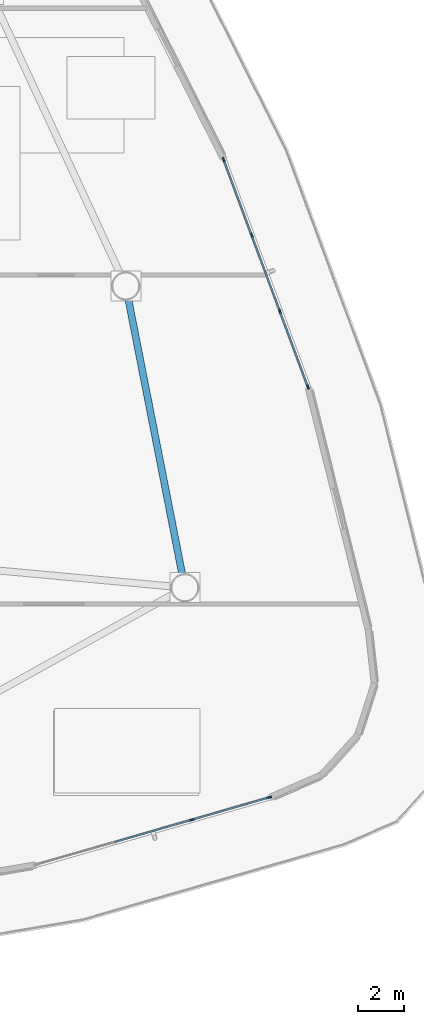
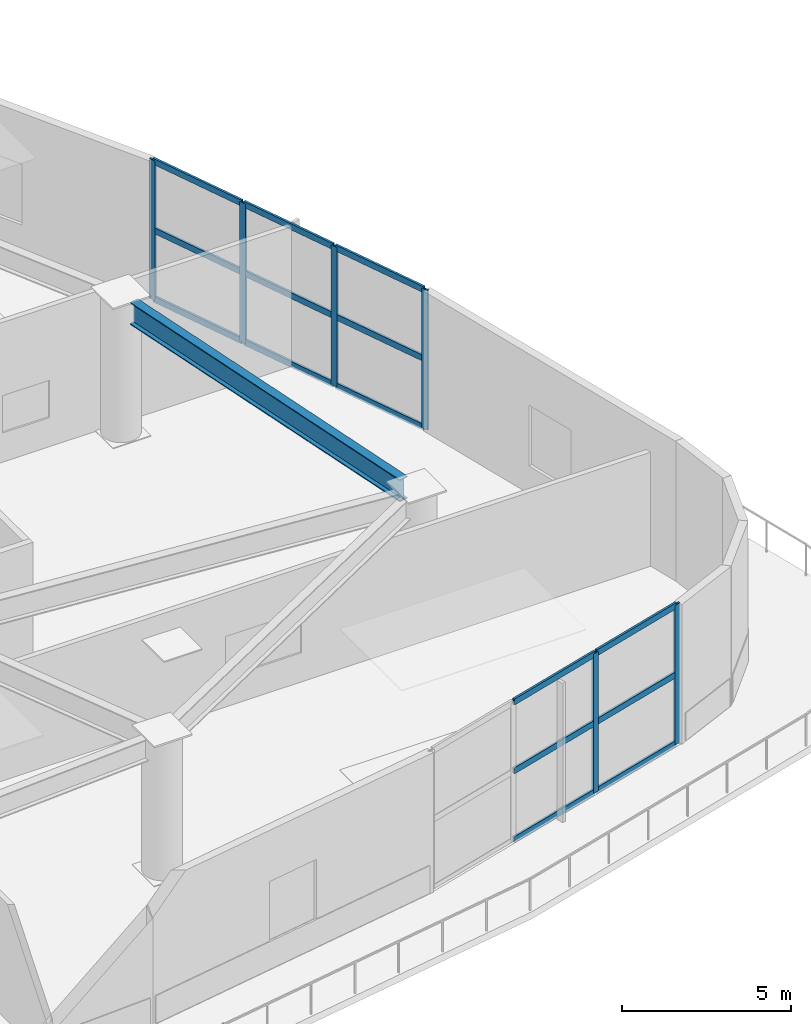
# One storey, part 9 of 25: 21 members, 1 beam, 2 elements without a shape of their own.
"""IFC4 building model written with IfcOpenShell, lengths in metres."""

import ifcopenshell
import ifcopenshell.guid

model = None  # the IFC model being written
_history = None  # IfcOwnerHistory: only IFC2X3 demands one
_inside = {}  # id of a spatial element -> (the spatial element, [elements in it])
_under = {}  # id of a project, library or spatial element -> (it, [spatial elements below it])
_declared = {}  # id of a project -> (the project, [libraries it declares])
_typed = {}  # id of a type object -> (the type object, [elements of that type])
_made_of = {}  # id of a material, layer set ... -> (it, [elements and type objects made of it])


def new_model(schema):
    """Start an empty IFC model of exactly this schema.

    Asked for "IFC4X3", IfcOpenShell would pick the latest addendum, in which some entities
    have other attributes; the version numbers below select the first issue.
    IFC2X3 requires an IfcOwnerHistory on every rooted entity: one is made here for all.
    """
    global model, _history
    if schema == "IFC4X3":
        model = ifcopenshell.file(schema_version=(4, 3, 0, 0))
    else:
        model = ifcopenshell.file(schema=schema)
    _inside.clear()
    _under.clear()
    _declared.clear()
    _typed.clear()
    _made_of.clear()
    _history = None
    if model.schema == "IFC2X3":
        org = make("IfcOrganization", Name="unknown")
        user = make(
            "IfcPersonAndOrganization",
            ThePerson=make("IfcPerson", FamilyName="unknown"),
            TheOrganization=org,
        )
        app = make(
            "IfcApplication",
            ApplicationDeveloper=org,
            Version="unknown",
            ApplicationFullName="unknown",
            ApplicationIdentifier="unknown",
        )
        _history = make(
            "IfcOwnerHistory",
            OwningUser=user,
            OwningApplication=app,
            ChangeAction="ADDED",
            CreationDate=0,
        )
    return model


def make(cls, **values):
    """One entity of the class cls with the attributes given. An attribute that is None is left unset."""
    return model.create_entity(
        cls, **{name: value for name, value in values.items() if value is not None}
    )


def rooted(cls, **values):
    """An entity with a GlobalId (a new one), such as an element, a storey or a relation."""
    return make(cls, GlobalId=ifcopenshell.guid.new(), OwnerHistory=_history, **values)


def si_unit(unit_type, name, prefix=None):
    """IfcSIUnit, for example si_unit("LENGTHUNIT", "METRE", prefix="MILLI")."""
    return make("IfcSIUnit", UnitType=unit_type, Prefix=prefix, Name=name)


def assignment(units):
    """IfcUnitAssignment: the units of a project."""
    return None if units is None else make("IfcUnitAssignment", Units=units)


def point(xyz):
    """IfcCartesianPoint."""
    return None if xyz is None else make("IfcCartesianPoint", Coordinates=xyz)


def direction(xyz):
    """IfcDirection."""
    return None if xyz is None else make("IfcDirection", DirectionRatios=xyz)


def frame(location, z_axis=None, x_axis=None):
    """IfcAxis2Placement3D, a coordinate frame: its origin and axes. An axis left out is left unset."""
    return make(
        "IfcAxis2Placement3D",
        Location=point(location),
        Axis=direction(z_axis),
        RefDirection=direction(x_axis),
    )


def frame_2d(location, x_axis=None):
    """IfcAxis2Placement2D, a coordinate frame in the plane: its origin and x axis."""
    return make(
        "IfcAxis2Placement2D", Location=point(location), RefDirection=direction(x_axis)
    )


def origin():
    """The frame at (0, 0, 0) with its axes left unset."""
    return frame((0.0, 0.0, 0.0))


def origin_2d():
    """The frame at (0, 0) in the plane with its x axis left unset."""
    return frame_2d((0.0, 0.0))


def place(relative_to, where):
    """IfcLocalPlacement: puts the frame where relative to a parent placement (None: the world)."""
    return make(
        "IfcLocalPlacement", PlacementRelTo=relative_to, RelativePlacement=where
    )


def context(
    kind, dimensions, precision=None, world=None, true_north=None, identifier=None
):
    """IfcGeometricRepresentationContext, for example the 3D "Model" context."""
    return make(
        "IfcGeometricRepresentationContext",
        ContextIdentifier=identifier,
        ContextType=kind,
        CoordinateSpaceDimension=dimensions,
        Precision=precision,
        WorldCoordinateSystem=world,
        TrueNorth=true_north,
    )


def subcontext(parent, identifier, kind, view, scale=None):
    """IfcGeometricRepresentationSubContext, for example "Body" below "Model"."""
    return make(
        "IfcGeometricRepresentationSubContext",
        ContextIdentifier=identifier,
        ContextType=kind,
        ParentContext=parent,
        TargetScale=scale,
        TargetView=view,
    )


def project(units=None, contexts=None):
    """IfcProject with its units and contexts."""
    return rooted(
        "IfcProject",
        Name="project",
        RepresentationContexts=contexts,
        UnitsInContext=assignment(units),
    )


def spatial(cls, under=None, at=None, **own):
    """A site, building, storey or space (cls), placed at a placement, below another one or the project."""
    s = rooted(cls, ObjectPlacement=at, **own)
    if under is not None:
        _under.setdefault(under.id(), (under, []))[1].append(s)
    return s


def profile(cls, at=None, kind="AREA", **sizes):
    """A parametric profile (cls). Its sizes go by their IFC names, for example OverallWidth=200.0."""
    return make(cls, ProfileType=kind, Position=at, **sizes)


def hollow_rectangle(**sizes):
    """IfcRectangleHollowProfileDef."""
    return profile("IfcRectangleHollowProfileDef", **sizes)


def i_section(**sizes):
    """IfcIShapeProfileDef."""
    return profile("IfcIShapeProfileDef", **sizes)


def extrude(swept, where, along, depth):
    """IfcExtrudedAreaSolid: the profile swept, set in the frame where, extruded along a direction by depth."""
    return make(
        "IfcExtrudedAreaSolid",
        SweptArea=swept,
        Position=where,
        ExtrudedDirection=direction(along),
        Depth=depth,
    )


def shape(context_of_items, identifier, shape_type, items):
    """IfcShapeRepresentation: the items that make up one representation, for example the "Body"."""
    return make(
        "IfcShapeRepresentation",
        ContextOfItems=context_of_items,
        RepresentationIdentifier=identifier,
        RepresentationType=shape_type,
        Items=items,
    )


def source(mapping_origin, context_of_items, identifier, shape_type, items):
    """IfcRepresentationMap: a shape defined once, which mapped items show again and again."""
    return make(
        "IfcRepresentationMap",
        MappingOrigin=mapping_origin,
        MappedRepresentation=shape(context_of_items, identifier, shape_type, items),
    )


def transform(
    local_origin,
    x_axis=None,
    y_axis=None,
    z_axis=None,
    scale=None,
    scale2=None,
    scale3=None,
    uniform=True,
):
    """IfcCartesianTransformationOperator3D, or its non-uniform kind. x_axis, y_axis, z_axis: its Axis1, 2, 3."""
    if uniform:
        return make(
            "IfcCartesianTransformationOperator3D",
            Axis1=direction(x_axis),
            Axis2=direction(y_axis),
            LocalOrigin=point(local_origin),
            Scale=scale,
            Axis3=direction(z_axis),
        )
    return make(
        "IfcCartesianTransformationOperator3DnonUniform",
        Axis1=direction(x_axis),
        Axis2=direction(y_axis),
        LocalOrigin=point(local_origin),
        Scale=scale,
        Axis3=direction(z_axis),
        Scale2=scale2,
        Scale3=scale3,
    )


def mapped(mapping_source, mapping_target):
    """IfcMappedItem: shows the shape of a source again, moved by a transform."""
    return make(
        "IfcMappedItem", MappingSource=mapping_source, MappingTarget=mapping_target
    )


def material(Name=None, Category=None):
    """IfcMaterial."""
    return make("IfcMaterial", Name=Name, Category=Category)


def layer(
    of_material, thickness, ventilated=None, Name=None, Category=None, Priority=None
):
    """IfcMaterialLayer: one layer of a wall or slab, of a material (None: an air gap)."""
    return make(
        "IfcMaterialLayer",
        Material=of_material,
        LayerThickness=thickness,
        IsVentilated=ventilated,
        Name=Name,
        Category=Category,
        Priority=Priority,
    )


def layer_set(layers, Name=None):
    """IfcMaterialLayerSet."""
    return make("IfcMaterialLayerSet", MaterialLayers=layers, LayerSetName=Name)


def material_profile(
    of_material, cross_section, Name=None, Category=None, Priority=None
):
    """IfcMaterialProfile: a cross section and its material."""
    return make(
        "IfcMaterialProfile",
        Name=Name,
        Material=of_material,
        Profile=cross_section,
        Priority=Priority,
        Category=Category,
    )


def profile_set(profiles, Name=None, composite=None):
    """IfcMaterialProfileSet."""
    return make(
        "IfcMaterialProfileSet",
        Name=Name,
        MaterialProfiles=profiles,
        CompositeProfile=composite,
    )


def made_of(thing, what):
    """Note that an element or type object is made of a material, layer set ...; save() writes the relation."""
    if what is not None:
        _made_of.setdefault(what.id(), (what, []))[1].append(thing)
    return thing


def type_object(cls, material=None, **own):
    """A type object (cls), such as IfcWallType, which elements share."""
    return made_of(rooted(cls, **own), material)


def type_shapes(of_type, sources):
    """Give a type object the sources (RepresentationMaps) that its elements show as mapped items."""
    of_type.RepresentationMaps = sources


def element(
    cls,
    number,
    at=None,
    inside=None,
    cuts=None,
    type_object=None,
    material=None,
    context=None,
    identifier="Body",
    shape_type=None,
    held_by="IfcProductDefinitionShape",
    body=None,
    shapes=None,
    **own,
):
    """One element of the class cls, such as IfcWall. Its Tag is "e" and its number.

    at: its placement. inside: the storey or other place that contains it. cuts: it is an
    opening in that element (IfcRelVoidsElement). A single representation is given by context,
    identifier, shape_type and body (its items); several are given by shapes. held_by: the class
    of the entity that holds the representations. save() writes the other relations.
    """
    e = rooted(cls, Tag="e%d" % number, ObjectPlacement=at, **own)
    if body is not None:
        shapes = [shape(context, identifier, shape_type, body)]
    if shapes is not None:
        e.Representation = make(held_by, Representations=shapes)
    if inside is not None:
        _inside.setdefault(inside.id(), (inside, []))[1].append(e)
    if cuts is not None:
        rooted(
            "IfcRelVoidsElement", RelatingBuildingElement=cuts, RelatedOpeningElement=e
        )
    if type_object is not None:
        _typed.setdefault(type_object.id(), (type_object, []))[1].append(e)
    return made_of(e, material)


def aggregate(whole, parts):
    """IfcRelAggregates: a whole, such as a stair, and the parts it consists of."""
    return rooted("IfcRelAggregates", RelatingObject=whole, RelatedObjects=parts)


def save(model, path):
    """Write the relations noted so far, then the file.

    IfcRelAggregates (storeys below a building ...), IfcRelContainedInSpatialStructure (elements
    in a storey), IfcRelDefinesByType, IfcRelAssociatesMaterial and IfcRelDeclares: one each for
    every whole, place, type object, material and project.
    """
    for whole, parts in _under.values():
        aggregate(whole, parts)
    for where, things in _inside.values():
        rooted(
            "IfcRelContainedInSpatialStructure",
            RelatedElements=things,
            RelatingStructure=where,
        )
    for kind, things in _typed.values():
        rooted("IfcRelDefinesByType", RelatedObjects=things, RelatingType=kind)
    for what, things in _made_of.values():
        rooted("IfcRelAssociatesMaterial", RelatedObjects=things, RelatingMaterial=what)
    for by, libraries in _declared.values():
        rooted("IfcRelDeclares", RelatingContext=by, RelatedDefinitions=libraries)
    model.write(path)


model = new_model("IFC4")

# Units and contexts
model_context = context("Model", 3, precision=1e-05, world=origin(), true_north=direction((0.0, 1.0)))
body_context = subcontext(model_context, "Body", "Model", "MODEL_VIEW")
ifc_project = project(units=[si_unit("LENGTHUNIT", "METRE"), si_unit("AREAUNIT", "SQUARE_METRE"), si_unit("VOLUMEUNIT", "CUBIC_METRE"), si_unit("PLANEANGLEUNIT", "RADIAN"), si_unit("MASSUNIT", "GRAM", prefix="KILO")], contexts=[model_context])

# Site, building, storey
site_placement = place(None, origin())
site = spatial("IfcSite", under=ifc_project, at=site_placement, CompositionType="ELEMENT")
building_placement = place(site_placement, origin())
building = spatial("IfcBuilding", under=site, at=building_placement, Name="Tavelor Broadcast Tower", CompositionType="ELEMENT")
storey_placement = place(building_placement, frame((0.0, 0.0, 11.39990234375)))
storey = spatial("IfcBuildingStorey", under=building, at=storey_placement, Name="L02", CompositionType="ELEMENT", Elevation=11.39990234375)

# Beam
ifc_material_1 = material(Name="Steel S355", Category="steel")
ifc_material_profile_1 = material_profile(ifc_material_1, i_section(OverallWidth=0.300048828125, OverallDepth=0.800048828125, WebThickness=0.017578125, FlangeThickness=0.032958984375, at=origin_2d()), Name="HEB 800")
ifc_profile_set_1 = profile_set([ifc_material_profile_1], Name="Steel S355")
beam_type = type_object("IfcBeamType", Name="Podium Spandrel Beam HEB800", PredefinedType="SPANDREL", material=ifc_profile_set_1)
beam_placement = place(storey_placement, frame((77.688720703125, 31.569091796875, 4.650146484375), z_axis=(-0.192144879801, 0.981366570231, 0.0), x_axis=(-0.981366570231, -0.192144879801, 0.0)))
element("IfcBeam", 1, at=beam_placement, inside=storey, type_object=beam_type, Name="L02 Podium Spandrel Girder 9", PredefinedType="SPANDREL", context=body_context, shape_type="SweptSolid", body=[
    extrude(i_section(OverallWidth=0.300048828125, OverallDepth=0.800048828125, WebThickness=0.017578125, FlangeThickness=0.032958984375, at=origin_2d()), origin(), (0.0, 0.0, 1.0), 12.158447265625),
])

# Curtain wall, members
ifc_material_2 = material(Name="Architectural Anodized Aluminium", Category="aluminium")
ifc_layer = layer(ifc_material_2, 0.219970703125)
ifc_layer_set = layer_set([ifc_layer], Name="Architectural Anodized Aluminium")
curtain_wall_type = type_object("IfcCurtainWallType", Name="Podium Double-Height Broadcast Curtain Wall CW01", PredefinedType="NOTDEFINED", material=ifc_layer_set)
curtain_wall_1_placement = place(storey_placement, origin())
curtain_wall_1 = element("IfcCurtainWall", 2, at=curtain_wall_1_placement, inside=storey, type_object=curtain_wall_type, Name="L02 Curtain Wall CW01 Run 10", PredefinedType="NOTDEFINED")
ifc_material_profile_2 = material_profile(ifc_material_2, hollow_rectangle(XDim=0.074951171875, YDim=0.219970703125, WallThickness=0.02197265625, at=origin_2d()), Name="RHS 75x220x22")
ifc_profile_set_2 = profile_set([ifc_material_profile_2], Name="Architectural Anodized Aluminium")
member_type_1 = type_object("IfcMemberType", Name="CW01 Extruded Aluminium Mullion 75x220", PredefinedType="MULLION", material=ifc_profile_set_2)
shared_shape_1 = source(origin(), body_context, "Body", "SweptSolid", [
    extrude(hollow_rectangle(XDim=0.074951171875, YDim=0.219970703125, WallThickness=0.02197265625, at=origin_2d()), origin(), (0.0, 0.0, 1.0), 5.050048828125),
])
type_shapes(member_type_1, [shared_shape_1])
member_1_placement = place(storey_placement, frame((78.105224609375, 20.94775390625, 0.0), z_axis=(0.0, 0.0, 1.0), x_axis=(-0.276977495528, 0.960876405669, 0.0)))
member_1 = element("IfcMember", 3, at=member_1_placement, type_object=member_type_1, Name="CW01 mullion 3", PredefinedType="MULLION", context=body_context, shape_type="MappedRepresentation", body=[
    mapped(shared_shape_1, transform((0.0, 0.0, 0.0), scale=1.0)),
])
member_2_placement = place(storey_placement, frame((81.4501953125, 21.911865234375, 0.0), z_axis=(0.0, 0.0, 1.0), x_axis=(-0.276977495528, 0.960876405669, 0.0)))
member_2 = element("IfcMember", 4, at=member_2_placement, type_object=member_type_1, Name="CW01 mullion 4", PredefinedType="MULLION", context=body_context, shape_type="MappedRepresentation", body=[
    mapped(shared_shape_1, transform((0.0, 0.0, 0.0), scale=1.0)),
])

curtain_wall_2_placement = place(storey_placement, origin())
curtain_wall_2 = element("IfcCurtainWall", 5, at=curtain_wall_2_placement, inside=storey, type_object=curtain_wall_type, Name="L02 Curtain Wall CW01 Run 11", PredefinedType="NOTDEFINED")
member_3_placement = place(storey_placement, frame((83.129638671875, 39.704833984375, 0.0), z_axis=(0.0, 0.0, 1.0), x_axis=(-0.937570851461, -0.347794333608, 0.0)))
member_3 = element("IfcMember", 6, at=member_3_placement, type_object=member_type_1, Name="CW01 mullion 1", PredefinedType="MULLION", context=body_context, shape_type="MappedRepresentation", body=[
    mapped(shared_shape_1, transform((0.0, 0.0, 0.0), scale=1.0)),
])
member_4_placement = place(storey_placement, frame((81.918701171875, 42.96923828125, 0.0), z_axis=(0.0, 0.0, 1.0), x_axis=(-0.937570851461, -0.347794333608, 0.0)))
member_4 = element("IfcMember", 7, at=member_4_placement, type_object=member_type_1, Name="CW01 mullion 2", PredefinedType="MULLION", context=body_context, shape_type="MappedRepresentation", body=[
    mapped(shared_shape_1, transform((0.0, 0.0, 0.0), scale=1.0)),
])
member_5_placement = place(storey_placement, frame((80.69482421875, 46.2685546875, 0.0), z_axis=(0.0, 0.0, 1.0), x_axis=(-0.937570851461, -0.347794333608, 0.0)))
member_5 = element("IfcMember", 8, at=member_5_placement, type_object=member_type_1, Name="CW01 mullion 3", PredefinedType="MULLION", context=body_context, shape_type="MappedRepresentation", body=[
    mapped(shared_shape_1, transform((0.0, 0.0, 0.0), scale=1.0)),
])
member_6_placement = place(storey_placement, frame((79.48388671875, 49.532958984375, 0.0), z_axis=(0.0, 0.0, 1.0), x_axis=(-0.937570851461, -0.347794333608, 0.0)))
member_6 = element("IfcMember", 9, at=member_6_placement, type_object=member_type_1, Name="CW01 mullion 4", PredefinedType="MULLION", context=body_context, shape_type="MappedRepresentation", body=[
    mapped(shared_shape_1, transform((0.0, 0.0, 0.0), scale=1.0)),
])

# Member
ifc_material_profile_3 = material_profile(ifc_material_2, hollow_rectangle(XDim=0.074951171875, YDim=0.219970703125, WallThickness=0.02197265625, at=origin_2d()), Name="RHS 75x220x22")
ifc_profile_set_3 = profile_set([ifc_material_profile_3], Name="Architectural Anodized Aluminium")
member_type_2 = type_object("IfcMemberType", Name="CW01 Extruded Aluminium Transom 75x220", PredefinedType="USERDEFINED", material=ifc_profile_set_3)
shared_shape_2 = source(origin(), body_context, "Body", "SweptSolid", [
    extrude(hollow_rectangle(XDim=0.074951171875, YDim=0.219970703125, WallThickness=0.02197265625, at=origin_2d()), origin(), (0.0, 0.0, 1.0), 3.40625),
])
member_7_placement = place(storey_placement, frame((78.141357421875, 20.9580078125, 0.03759765625), z_axis=(0.960863957354, 0.277020676949, 0.0), x_axis=(-0.277020676949, 0.960863957354, 0.0)))
member_7 = element("IfcMember", 10, at=member_7_placement, type_object=member_type_2, Name="CW01 transom 3.1", ObjectType="TRANSOM", PredefinedType="USERDEFINED", context=body_context, shape_type="MappedRepresentation", body=[
    mapped(shared_shape_2, transform((0.0, 0.0, 0.0), scale=1.0)),
])

member_8_placement = place(storey_placement, frame((78.141357421875, 20.9580078125, 2.525146484375), z_axis=(0.960863957354, 0.277020676949, 0.0), x_axis=(-0.277020676949, 0.960863957354, 0.0)))
member_8 = element("IfcMember", 11, at=member_8_placement, type_object=member_type_2, Name="CW01 transom 3.2", ObjectType="TRANSOM", PredefinedType="USERDEFINED", context=body_context, shape_type="MappedRepresentation", body=[
    mapped(shared_shape_2, transform((0.0, 0.0, 0.0), scale=1.0)),
])

member_9_placement = place(storey_placement, frame((78.141357421875, 20.9580078125, 5.0126953125), z_axis=(0.960863957354, 0.277020676949, 0.0), x_axis=(-0.277020676949, 0.960863957354, 0.0)))
member_9 = element("IfcMember", 12, at=member_9_placement, type_object=member_type_2, Name="CW01 transom 3.3", ObjectType="TRANSOM", PredefinedType="USERDEFINED", context=body_context, shape_type="MappedRepresentation", body=[
    mapped(shared_shape_2, transform((0.0, 0.0, 0.0), scale=1.0)),
])

shared_shape_3 = source(origin(), body_context, "Body", "SweptSolid", [
    extrude(hollow_rectangle(XDim=0.074951171875, YDim=0.219970703125, WallThickness=0.02197265625, at=origin_2d()), origin(), (0.0, 0.0, 1.0), 3.44384765625),
])
member_10_placement = place(storey_placement, frame((74.76025390625, 19.9833984375, 0.03759765625), z_axis=(0.96087657959, 0.276976892169, 0.0), x_axis=(-0.276976892169, 0.96087657959, 0.0)))
member_10 = element("IfcMember", 13, at=member_10_placement, type_object=member_type_2, Name="CW01 transom 2.1", ObjectType="TRANSOM", PredefinedType="USERDEFINED", context=body_context, shape_type="MappedRepresentation", body=[
    mapped(shared_shape_3, transform((0.0, 0.0, 0.0), scale=1.0)),
])

member_11_placement = place(storey_placement, frame((74.76025390625, 19.9833984375, 2.525146484375), z_axis=(0.96087657959, 0.276976892169, 0.0), x_axis=(-0.276976892169, 0.96087657959, 0.0)))
member_11 = element("IfcMember", 14, at=member_11_placement, type_object=member_type_2, Name="CW01 transom 2.2", ObjectType="TRANSOM", PredefinedType="USERDEFINED", context=body_context, shape_type="MappedRepresentation", body=[
    mapped(shared_shape_3, transform((0.0, 0.0, 0.0), scale=1.0)),
])

member_12_placement = place(storey_placement, frame((74.76025390625, 19.9833984375, 5.0126953125), z_axis=(0.96087657959, 0.276976892169, 0.0), x_axis=(-0.276976892169, 0.96087657959, 0.0)))
member_12 = element("IfcMember", 15, at=member_12_placement, type_object=member_type_2, Name="CW01 transom 2.3", ObjectType="TRANSOM", PredefinedType="USERDEFINED", context=body_context, shape_type="MappedRepresentation", body=[
    mapped(shared_shape_3, transform((0.0, 0.0, 0.0), scale=1.0)),
])

aggregate(curtain_wall_1, [member_1, member_2, member_10, member_11, member_12, member_7, member_8, member_9])

shared_shape_4 = source(origin(), body_context, "Body", "SweptSolid", [
    extrude(hollow_rectangle(XDim=0.074951171875, YDim=0.219970703125, WallThickness=0.02197265625, at=origin_2d()), origin(), (0.0, 0.0, 1.0), 3.40673828125),
])
member_13_placement = place(storey_placement, frame((83.116455078125, 39.739990234375, 0.03759765625), z_axis=(-0.347783453929, 0.937574887235, 0.0), x_axis=(-0.937574887235, -0.347783453929, 0.0)))
member_13 = element("IfcMember", 16, at=member_13_placement, type_object=member_type_2, Name="CW01 transom 1.1", ObjectType="TRANSOM", PredefinedType="USERDEFINED", context=body_context, shape_type="MappedRepresentation", body=[
    mapped(shared_shape_4, transform((0.0, 0.0, 0.0), scale=1.0)),
])

member_14_placement = place(storey_placement, frame((83.116455078125, 39.739990234375, 2.525146484375), z_axis=(-0.347783453929, 0.937574887235, 0.0), x_axis=(-0.937574887235, -0.347783453929, 0.0)))
member_14 = element("IfcMember", 17, at=member_14_placement, type_object=member_type_2, Name="CW01 transom 1.2", ObjectType="TRANSOM", PredefinedType="USERDEFINED", context=body_context, shape_type="MappedRepresentation", body=[
    mapped(shared_shape_4, transform((0.0, 0.0, 0.0), scale=1.0)),
])

member_15_placement = place(storey_placement, frame((83.116455078125, 39.739990234375, 5.0126953125), z_axis=(-0.347783453929, 0.937574887235, 0.0), x_axis=(-0.937574887235, -0.347783453929, 0.0)))
member_15 = element("IfcMember", 18, at=member_15_placement, type_object=member_type_2, Name="CW01 transom 1.3", ObjectType="TRANSOM", PredefinedType="USERDEFINED", context=body_context, shape_type="MappedRepresentation", body=[
    mapped(shared_shape_4, transform((0.0, 0.0, 0.0), scale=1.0)),
])

member_16_placement = place(storey_placement, frame((80.681640625, 46.3037109375, 0.03759765625), z_axis=(-0.347783453929, 0.937574887235, 0.0), x_axis=(-0.937574887235, -0.347783453929, 0.0)))
member_16 = element("IfcMember", 19, at=member_16_placement, type_object=member_type_2, Name="CW01 transom 3.1", ObjectType="TRANSOM", PredefinedType="USERDEFINED", context=body_context, shape_type="MappedRepresentation", body=[
    mapped(shared_shape_4, transform((0.0, 0.0, 0.0), scale=1.0)),
])

member_17_placement = place(storey_placement, frame((80.681640625, 46.3037109375, 2.525146484375), z_axis=(-0.347783453929, 0.937574887235, 0.0), x_axis=(-0.937574887235, -0.347783453929, 0.0)))
member_17 = element("IfcMember", 20, at=member_17_placement, type_object=member_type_2, Name="CW01 transom 3.2", ObjectType="TRANSOM", PredefinedType="USERDEFINED", context=body_context, shape_type="MappedRepresentation", body=[
    mapped(shared_shape_4, transform((0.0, 0.0, 0.0), scale=1.0)),
])

member_18_placement = place(storey_placement, frame((80.681640625, 46.3037109375, 5.0126953125), z_axis=(-0.347783453929, 0.937574887235, 0.0), x_axis=(-0.937574887235, -0.347783453929, 0.0)))
member_18 = element("IfcMember", 21, at=member_18_placement, type_object=member_type_2, Name="CW01 transom 3.3", ObjectType="TRANSOM", PredefinedType="USERDEFINED", context=body_context, shape_type="MappedRepresentation", body=[
    mapped(shared_shape_4, transform((0.0, 0.0, 0.0), scale=1.0)),
])

shared_shape_5 = source(origin(), body_context, "Body", "SweptSolid", [
    extrude(hollow_rectangle(XDim=0.074951171875, YDim=0.219970703125, WallThickness=0.02197265625, at=origin_2d()), origin(), (0.0, 0.0, 1.0), 3.444091796875),
])
type_shapes(member_type_2, [shared_shape_2, shared_shape_3, shared_shape_4, shared_shape_5])
member_19_placement = place(storey_placement, frame((81.905517578125, 43.00439453125, 0.03759765625), z_axis=(-0.347780691375, 0.93757591197, 0.0), x_axis=(-0.93757591197, -0.347780691375, 0.0)))
member_19 = element("IfcMember", 22, at=member_19_placement, type_object=member_type_2, Name="CW01 transom 2.1", ObjectType="TRANSOM", PredefinedType="USERDEFINED", context=body_context, shape_type="MappedRepresentation", body=[
    mapped(shared_shape_5, transform((0.0, 0.0, 0.0), scale=1.0)),
])

member_20_placement = place(storey_placement, frame((81.905517578125, 43.00439453125, 2.525146484375), z_axis=(-0.347780691375, 0.93757591197, 0.0), x_axis=(-0.93757591197, -0.347780691375, 0.0)))
member_20 = element("IfcMember", 23, at=member_20_placement, type_object=member_type_2, Name="CW01 transom 2.2", ObjectType="TRANSOM", PredefinedType="USERDEFINED", context=body_context, shape_type="MappedRepresentation", body=[
    mapped(shared_shape_5, transform((0.0, 0.0, 0.0), scale=1.0)),
])

member_21_placement = place(storey_placement, frame((81.905517578125, 43.00439453125, 5.0126953125), z_axis=(-0.347780691375, 0.93757591197, 0.0), x_axis=(-0.93757591197, -0.347780691375, 0.0)))
member_21 = element("IfcMember", 24, at=member_21_placement, type_object=member_type_2, Name="CW01 transom 2.3", ObjectType="TRANSOM", PredefinedType="USERDEFINED", context=body_context, shape_type="MappedRepresentation", body=[
    mapped(shared_shape_5, transform((0.0, 0.0, 0.0), scale=1.0)),
])

aggregate(curtain_wall_2, [member_3, member_4, member_5, member_6, member_13, member_14, member_15, member_19, member_20, member_21, member_16, member_17, member_18])

save(model, "model.ifc")
